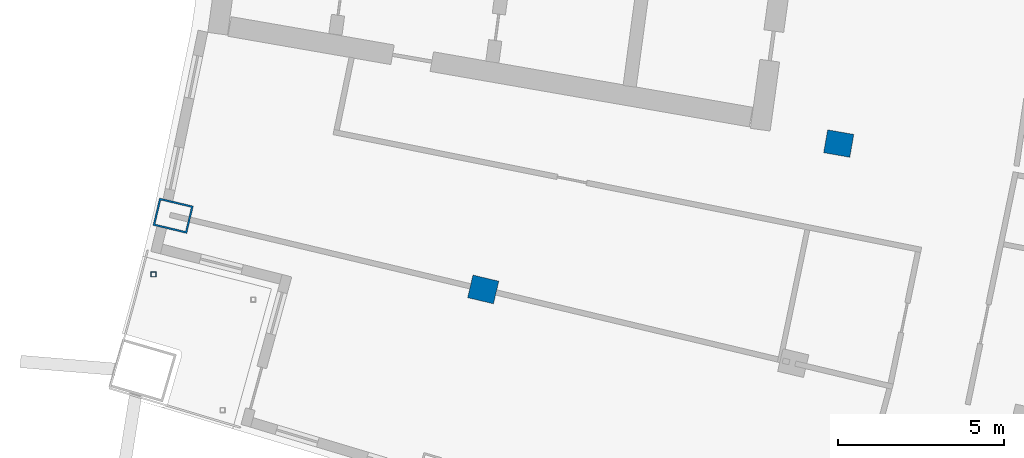
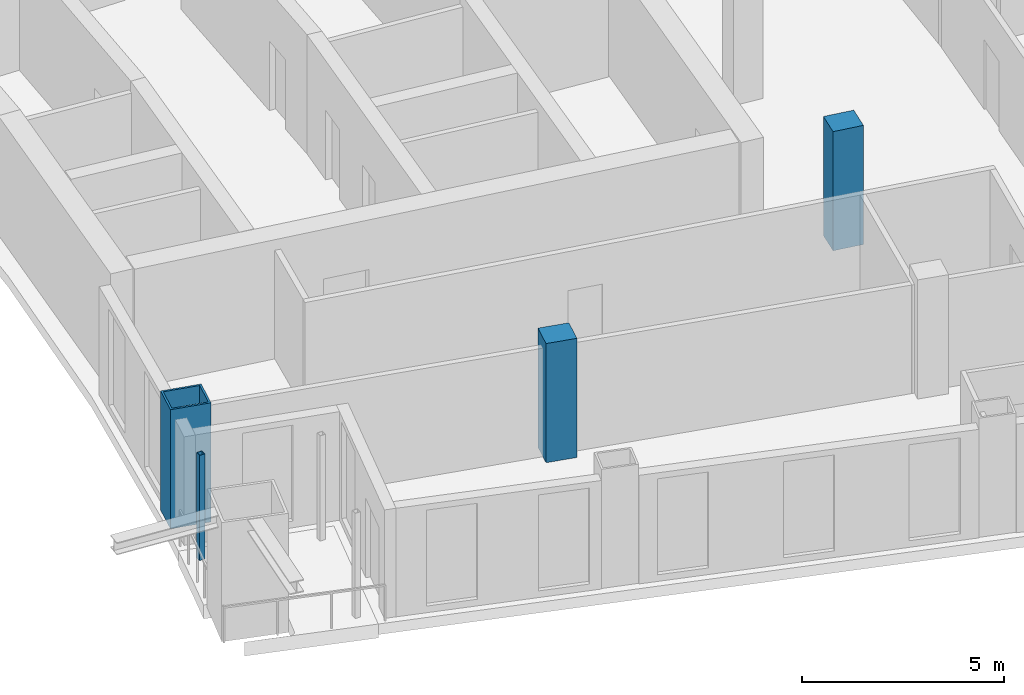
# One storey, part 3 of 19: 4 columns.
"""IFC4 building model written with IfcOpenShell, lengths in metres."""

from ifc_helpers import new_model, si_unit, direction, frame, origin, origin_2d, place, context, subcontext, project, spatial, rectangle, hollow_rectangle, extrude, material, material_profile, profile_set, type_object, element, save


model = new_model("IFC4")

# Units and contexts
model_context = context("Model", 3, precision=1e-05, world=origin(), true_north=direction((0.0, 1.0)))
body_context = subcontext(model_context, "Body", "Model", "MODEL_VIEW")
ifc_project = project(units=[si_unit("LENGTHUNIT", "METRE"), si_unit("AREAUNIT", "SQUARE_METRE"), si_unit("VOLUMEUNIT", "CUBIC_METRE"), si_unit("PLANEANGLEUNIT", "RADIAN"), si_unit("MASSUNIT", "GRAM", prefix="KILO")], contexts=[model_context])

# Site, building, storey
site_placement = place(None, origin())
site = spatial("IfcSite", under=ifc_project, at=site_placement, CompositionType="ELEMENT")
building_placement = place(site_placement, origin())
building = spatial("IfcBuilding", under=site, at=building_placement, Name="Alderwake Tower", CompositionType="ELEMENT")
storey_placement = place(building_placement, frame((0.0, 0.0, 228.800048828125)))
storey = spatial("IfcBuildingStorey", under=building, at=storey_placement, Name="L57", CompositionType="ELEMENT", Elevation=228.800048828125)

# Columns
ifc_material_1 = material(Name="Concrete C70/85", Category="concrete")
ifc_material_profile_1 = material_profile(ifc_material_1, rectangle(XDim=0.699951171875, YDim=0.800048828125, at=origin_2d()), Name="RC 800X700")
ifc_profile_set_1 = profile_set([ifc_material_profile_1], Name="Concrete C70/85")
column_type_1 = type_object("IfcColumnType", Name="Interior column Z4", PredefinedType="COLUMN", material=ifc_profile_set_1)
for number, where, z_axis, x_axis, name in (
    (1, (23.322021484375, 36.444091796875, 0.0), (0.0, 0.0, 1.0), (0.231221547198, 0.972901123502, 0.0), "Column R03-C1"),
    (2, (34.03125, 40.83837890625, 0.0), (0.0, 0.0, 1.0), (0.174108800747, 0.984726421654, 0.0), "Column R04-C2"),
):
    element("IfcColumn", number, at=place(storey_placement, frame(where, z_axis=z_axis, x_axis=x_axis)), inside=storey, type_object=column_type_1, Name=name, PredefinedType="COLUMN", context=body_context, shape_type="SweptSolid", body=[
        extrude(rectangle(XDim=0.699951171875, YDim=0.800048828125, at=origin_2d()), origin(), (0.0, 0.0, 1.0), 3.599853515625),
    ])
ifc_material_2 = material(Name="Steel ASTM A500 Grade C", Category="steel")
ifc_material_profile_2 = material_profile(ifc_material_2, hollow_rectangle(XDim=0.15234375, YDim=0.15234375, WallThickness=0.0087890625, at=origin_2d()), Name="HSS6X6X3/8")
ifc_profile_set_2 = profile_set([ifc_material_profile_2], Name="Steel ASTM A500 Grade C")
column_type_2 = type_object("IfcColumnType", Name="Light post HSS6X6X3/8", PredefinedType="COLUMN", material=ifc_profile_set_2)
column_1_placement = place(storey_placement, frame((13.3896484375, 36.896484375, 0.0), z_axis=(0.0, 0.0, 1.0), x_axis=(1.0, 0.0, 0.0)))
element("IfcColumn", 3, at=column_1_placement, inside=storey, type_object=column_type_2, Name="Terrace post RS1", PredefinedType="COLUMN", context=body_context, shape_type="SweptSolid", body=[
    extrude(hollow_rectangle(XDim=0.15234375, YDim=0.15234375, WallThickness=0.0087890625, at=origin_2d()), origin(), (0.0, 0.0, 1.0), 3.179931640625),
])
ifc_material_3 = material(Name="Steel ASTM A572 Grade 50 concrete filled C70/85", Category="concrete")
ifc_material_profile_3 = material_profile(ifc_material_3, hollow_rectangle(XDim=0.85009765625, YDim=1.050048828125, WallThickness=0.054931640625, at=origin_2d()), Name="BOX 1050X850X55")
ifc_profile_set_3 = profile_set([ifc_material_profile_3], Name="Steel ASTM A572 Grade 50 concrete filled C70/85")
column_type_3 = type_object("IfcColumnType", Name="Perimeter column Z4", PredefinedType="COLUMN", material=ifc_profile_set_3)
column_2_placement = place(storey_placement, frame((13.982177734375, 38.6640625, 0.0), z_axis=(0.0, 0.0, 1.0), x_axis=(0.231221547198, 0.972901123502, 0.0)))
element("IfcColumn", 4, at=column_2_placement, inside=storey, type_object=column_type_3, Name="Column R03-C0", PredefinedType="COLUMN", context=body_context, shape_type="SweptSolid", body=[
    extrude(hollow_rectangle(XDim=0.85009765625, YDim=1.050048828125, WallThickness=0.054931640625, at=origin_2d()), origin(), (0.0, 0.0, 1.0), 3.599853515625),
])

save(model, "model.ifc")
